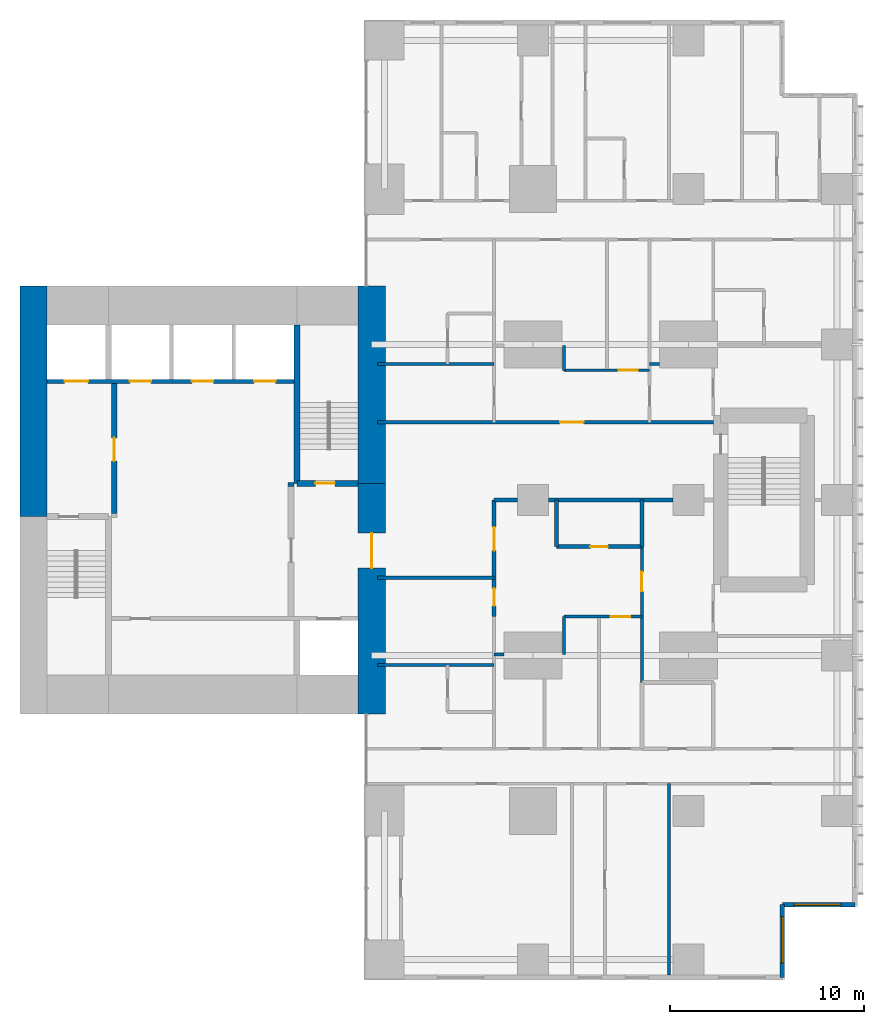
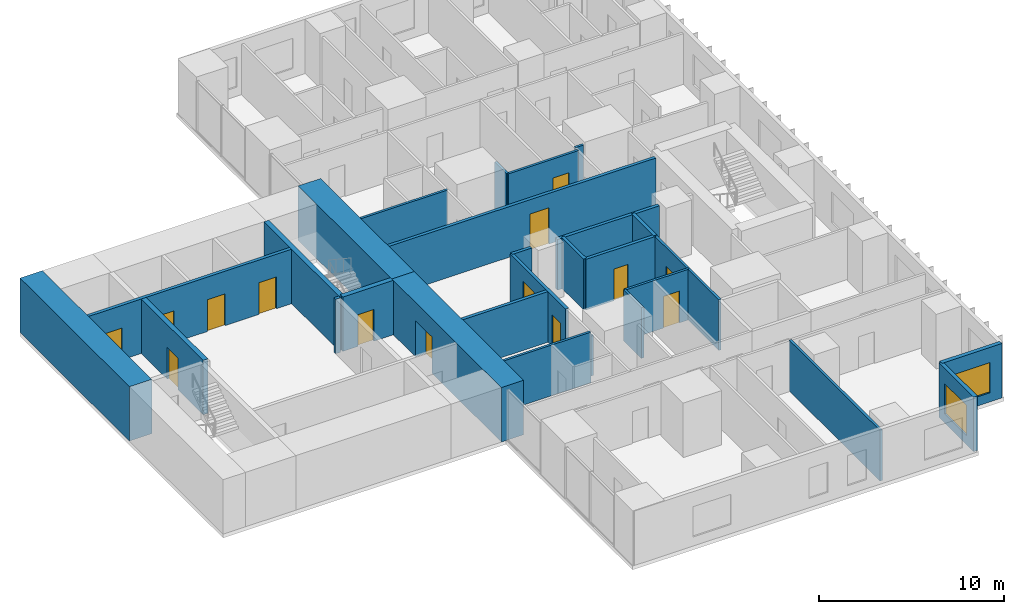
# One storey, part 8 of 12: 28 walls, 14 doors, 2 windows, 16 openings.
"""IFC4 building model written with IfcOpenShell, lengths in metres."""

from ifc_helpers import new_model, si_unit, direction, frame, frame_2d, origin, place, context, subcontext, project, spatial, rectangle, extrude, material, layer, layer_set, type_object, element, fill, save


model = new_model("IFC4")

# Units and contexts
model_context = context("Model", 3, precision=1e-05, world=origin(), true_north=direction((0.0, 1.0)))
body_context = subcontext(model_context, "Body", "Model", "MODEL_VIEW")
ifc_project = project(units=[si_unit("LENGTHUNIT", "METRE"), si_unit("AREAUNIT", "SQUARE_METRE"), si_unit("VOLUMEUNIT", "CUBIC_METRE"), si_unit("PLANEANGLEUNIT", "RADIAN"), si_unit("MASSUNIT", "GRAM", prefix="KILO")], contexts=[model_context])

# Site, building, storey
site_placement = place(None, origin())
site = spatial("IfcSite", under=ifc_project, at=site_placement, CompositionType="ELEMENT")
building_placement = place(site_placement, origin())
building = spatial("IfcBuilding", under=site, at=building_placement, Name="Cleftline Residences", CompositionType="ELEMENT")
storey_placement = place(building_placement, frame((0.0, 0.0, 255.60009765625)))
storey = spatial("IfcBuildingStorey", under=building, at=storey_placement, Name="L67", CompositionType="ELEMENT", Elevation=255.60009765625)

# Wall
ifc_material_1 = material(Name="Concrete B70", Category="concrete")
ifc_layer_1 = layer(ifc_material_1, 1.39990234375)
ifc_layer_set_1 = layer_set([ifc_layer_1], Name="CORE WALL 1400")
wall_type_1 = type_object("IfcWallType", Name="CORE WALL 1400", PredefinedType="SHEAR", material=ifc_layer_set_1)
wall_1_placement = place(storey_placement, frame((24.300048828125, 23.14990234375, 0.0), z_axis=(0.0, 0.0, 1.0), x_axis=(0.0, 1.0, 0.0)))
element("IfcWall", 1, at=wall_1_placement, inside=storey, type_object=wall_type_1, Name="Core wall W", PredefinedType="SHEAR", context=body_context, shape_type="SweptSolid", body=[
    extrude(rectangle(XDim=11.85009765625, YDim=1.39990234375, at=frame_2d((5.925048828125, 0.0))), origin(), (0.0, 0.0, 1.0), 3.599853515625),
])

# Wall, opening, door
wall_2_placement = place(storey_placement, frame((41.699951171875, 13.0, 0.0), z_axis=(0.0, 0.0, 1.0), x_axis=(0.0, 1.0, 0.0)))
wall_2 = element("IfcWall", 2, at=wall_2_placement, inside=storey, type_object=wall_type_1, Name="Core wall E", PredefinedType="SHEAR", context=body_context, shape_type="SweptSolid", body=[
    extrude(rectangle(XDim=11.85009765625, YDim=1.39990234375, at=frame_2d((5.925048828125, 0.0))), origin(), (0.0, 0.0, 1.0), 3.599853515625),
])
opening_1_placement = place(wall_2_placement, frame((7.5, 0.0, 0.0)))
opening_1 = element("IfcOpeningElement", 3, at=opening_1_placement, cuts=wall_2, Name="Opening D7", PredefinedType="OPENING", context=body_context, shape_type="SweptSolid", body=[
    extrude(rectangle(XDim=1.800048828125, YDim=2.39990234375, at=frame_2d((0.89990234375, 1.199951171875))), frame((0.0, 0.7099609375, 0.0), z_axis=(0.0, -1.0, 0.0), x_axis=(1.0, 0.0, 0.0)), (0.0, 0.0, 1.0), 1.419921875),
])
ifc_material_2 = material(Name="Steel", Category="steel")
door_type_1 = type_object("IfcDoorType", Name="WING DOOR 1800X2400", OperationType="DOUBLE_DOOR_DOUBLE_SWING", PredefinedType="DOOR", material=ifc_material_2)
door_1_placement = place(opening_1_placement, origin())
door_1 = element("IfcDoor", 4, at=door_1_placement, inside=storey, type_object=door_type_1, Name="East wing door", OperationType="DOUBLE_DOOR_DOUBLE_SWING", OverallHeight=2.39990234375, OverallWidth=1.800048828125, PredefinedType="DOOR", context=body_context, shape_type="SweptSolid", body=[
    extrude(rectangle(XDim=1.800048828125, YDim=2.39990234375, at=frame_2d((0.89990234375, 1.199951171875))), frame((0.0, 0.02490234375, 0.0), z_axis=(0.0, -1.0, 0.0), x_axis=(1.0, 0.0, 0.0)), (0.0, 0.0, 1.0), 0.050048828125),
])
fill(opening_1, door_1)

# Walls
wall_3_placement = place(storey_placement, frame((41.699951171875, 24.85009765625, 0.0), z_axis=(0.0, 0.0, 1.0), x_axis=(0.0, 1.0, 0.0)))
element("IfcWall", 5, at=wall_3_placement, inside=storey, type_object=wall_type_1, Name="Core wall E1", PredefinedType="SHEAR", context=body_context, shape_type="SweptSolid", body=[
    extrude(rectangle(XDim=10.14990234375, YDim=1.39990234375, at=frame_2d((5.074951171875, 0.0))), origin(), (0.0, 0.0, 1.0), 3.599853515625),
])
ifc_material_3 = material(Name="Concrete B70", Category="concrete")
ifc_layer_2 = layer(ifc_material_3, 0.300048828125)
ifc_layer_set_2 = layer_set([ifc_layer_2], Name="CORE WALL 300")
wall_type_2 = type_object("IfcWallType", Name="CORE WALL 300", PredefinedType="SHEAR", material=ifc_layer_set_2)
wall_4_placement = place(storey_placement, frame((37.85009765625, 24.85009765625, 0.0), z_axis=(0.0, 0.0, 1.0), x_axis=(0.0, 1.0, 0.0)))
element("IfcWall", 6, at=wall_4_placement, inside=storey, type_object=wall_type_2, Name="Core wall SB-W", PredefinedType="SHEAR", context=body_context, shape_type="SweptSolid", body=[
    extrude(rectangle(XDim=8.14990234375, YDim=0.300048828125, at=frame_2d((4.074951171875, 0.0))), origin(), (0.0, 0.0, 1.0), 3.599853515625),
])

# Wall, opening, door
wall_5_placement = place(storey_placement, frame((37.85009765625, 24.85009765625, 0.0), z_axis=(0.0, 0.0, 1.0), x_axis=(1.0, 0.0, 0.0)))
wall_5 = element("IfcWall", 7, at=wall_5_placement, inside=storey, type_object=wall_type_2, Name="Core wall SB-S", PredefinedType="SHEAR", context=body_context, shape_type="SweptSolid", body=[
    extrude(rectangle(XDim=3.14990234375, YDim=0.300048828125, at=frame_2d((1.574951171875, 0.0))), origin(), (0.0, 0.0, 1.0), 3.599853515625),
])
opening_2_placement = place(wall_5_placement, frame((0.949951171875, 0.0, 0.0)))
opening_2 = element("IfcOpeningElement", 8, at=opening_2_placement, cuts=wall_5, Name="Opening D5", PredefinedType="OPENING", context=body_context, shape_type="SweptSolid", body=[
    extrude(rectangle(XDim=1.0, YDim=2.10009765625, at=frame_2d((0.5, 1.050048828125))), frame((0.0, 0.159912109375, 0.0), z_axis=(0.0, -1.0, 0.0), x_axis=(1.0, 0.0, 0.0)), (0.0, 0.0, 1.0), 0.320068359375),
])
ifc_material_4 = material(Name="Steel", Category="steel")
door_type_2 = type_object("IfcDoorType", Name="STAIR DOOR 1000X2100", OperationType="SINGLE_SWING_LEFT", PredefinedType="DOOR", material=ifc_material_4)
door_2_placement = place(opening_2_placement, origin())
door_2 = element("IfcDoor", 9, at=door_2_placement, inside=storey, type_object=door_type_2, Name="Stair B door", OperationType="SINGLE_SWING_RIGHT", OverallHeight=2.10009765625, OverallWidth=1.0, PredefinedType="DOOR", context=body_context, shape_type="SweptSolid", body=[
    extrude(rectangle(XDim=1.0, YDim=2.10009765625, at=frame_2d((0.5, 1.050048828125))), frame((0.0, 0.02490234375, 0.0), z_axis=(0.0, -1.0, 0.0), x_axis=(1.0, 0.0, 0.0)), (0.0, 0.0, 1.0), 0.050048828125),
])
fill(opening_2, door_2)

# Wall, opening, window
ifc_material_5 = material(Name="Rendered reinforced concrete blockwork", Category="masonry")
ifc_layer_3 = layer(ifc_material_5, 0.25)
ifc_layer_set_3 = layer_set([ifc_layer_3], Name="EXTERNAL WALL 250")
wall_type_3 = type_object("IfcWallType", Name="EXTERNAL WALL 250", PredefinedType="SOLIDWALL", material=ifc_layer_set_3)
wall_6_placement = place(storey_placement, frame((62.824951171875, -0.574951171875, 0.0), z_axis=(0.0, 0.0, 1.0), x_axis=(0.0, 1.0, 0.0)))
wall_6 = element("IfcWall", 10, at=wall_6_placement, inside=storey, type_object=wall_type_3, Name="External wall", PredefinedType="SOLIDWALL", context=body_context, shape_type="SweptSolid", body=[
    extrude(rectangle(XDim=3.75, YDim=0.25, at=frame_2d((1.875, 0.0))), origin(), (0.0, 0.0, 1.0), 3.599853515625),
])
opening_3_placement = place(wall_6_placement, frame((0.737548828125, 0.0, 0.60009765625)))
opening_3 = element("IfcOpeningElement", 11, at=opening_3_placement, cuts=wall_6, Name="Opening W6", PredefinedType="OPENING", context=body_context, shape_type="SweptSolid", body=[
    extrude(rectangle(XDim=2.39990234375, YDim=2.0, at=frame_2d((1.199951171875, 1.0))), frame((0.0, 0.135009765625, 0.0), z_axis=(0.0, -1.0, 0.0), x_axis=(1.0, 0.0, 0.0)), (0.0, 0.0, 1.0), 0.27001953125),
])
ifc_material_6 = material(Name="Aluminium frame, clear double glazing", Category="aluminium")
window_type = type_object("IfcWindowType", Name="WINDOW 2400X2000", PartitioningType="DOUBLE_PANEL_VERTICAL", PredefinedType="WINDOW", material=ifc_material_6)
window_1_placement = place(opening_3_placement, origin())
window_1 = element("IfcWindow", 12, at=window_1_placement, inside=storey, type_object=window_type, Name="Window", OverallHeight=2.0, OverallWidth=2.39990234375, PartitioningType="SINGLE_PANEL", PredefinedType="WINDOW", context=body_context, shape_type="SweptSolid", body=[
    extrude(rectangle(XDim=2.39990234375, YDim=2.0, at=frame_2d((1.199951171875, 1.0))), frame((0.0, 0.030029296875, 0.0), z_axis=(0.0, -1.0, 0.0), x_axis=(1.0, 0.0, 0.0)), (0.0, 0.0, 1.0), 0.06005859375),
])
fill(opening_3, window_1)

wall_7_placement = place(storey_placement, frame((62.824951171875, 3.175048828125, 0.0), z_axis=(0.0, 0.0, 1.0), x_axis=(1.0, 0.0, 0.0)))
wall_7 = element("IfcWall", 13, at=wall_7_placement, inside=storey, type_object=wall_type_3, Name="External wall", PredefinedType="SOLIDWALL", context=body_context, shape_type="SweptSolid", body=[
    extrude(rectangle(XDim=3.75, YDim=0.25, at=frame_2d((1.875, 0.0))), origin(), (0.0, 0.0, 1.0), 3.599853515625),
])
opening_4_placement = place(wall_7_placement, frame((0.612548828125, 0.0, 0.60009765625)))
opening_4 = element("IfcOpeningElement", 14, at=opening_4_placement, cuts=wall_7, Name="Opening W6", PredefinedType="OPENING", context=body_context, shape_type="SweptSolid", body=[
    extrude(rectangle(XDim=2.39990234375, YDim=2.0, at=frame_2d((1.199951171875, 1.0))), frame((0.0, 0.135009765625, 0.0), z_axis=(0.0, -1.0, 0.0), x_axis=(1.0, 0.0, 0.0)), (0.0, 0.0, 1.0), 0.27001953125),
])
window_2_placement = place(opening_4_placement, origin())
window_2 = element("IfcWindow", 15, at=window_2_placement, inside=storey, type_object=window_type, Name="Window", OverallHeight=2.0, OverallWidth=2.39990234375, PartitioningType="SINGLE_PANEL", PredefinedType="WINDOW", context=body_context, shape_type="SweptSolid", body=[
    extrude(rectangle(XDim=2.39990234375, YDim=2.0, at=frame_2d((1.199951171875, 1.0))), frame((0.0, 0.030029296875, 0.0), z_axis=(0.0, -1.0, 0.0), x_axis=(1.0, 0.0, 0.0)), (0.0, 0.0, 1.0), 0.06005859375),
])
fill(opening_4, window_2)

# Wall
ifc_material_7 = material(Name="Concrete blockwork, fire rated", Category="masonry")
ifc_layer_4 = layer(ifc_material_7, 0.199951171875)
ifc_layer_set_4 = layer_set([ifc_layer_4], Name="FIRE WALL 200")
wall_type_4 = type_object("IfcWallType", Name="FIRE WALL 200", PredefinedType="PARTITIONING", material=ifc_layer_set_4)
wall_8_placement = place(storey_placement, frame((42.0, 20.0, 0.0), z_axis=(0.0, 0.0, 1.0), x_axis=(1.0, 0.0, 0.0)))
element("IfcWall", 16, at=wall_8_placement, inside=storey, type_object=wall_type_4, Name="Fire separating wall", PredefinedType="PARTITIONING", context=body_context, shape_type="SweptSolid", body=[
    extrude(rectangle(XDim=6.0, YDim=0.199951171875, at=frame_2d((3.0, 0.0))), origin(), (0.0, 0.0, 1.0), 3.349853515625),
])

# Wall, opening, door
wall_9_placement = place(storey_placement, frame((51.199951171875, 21.60009765625, 0.0), z_axis=(0.0, 0.0, 1.0), x_axis=(1.0, 0.0, 0.0)))
wall_9 = element("IfcWall", 17, at=wall_9_placement, inside=storey, type_object=wall_type_4, Name="Fire separating wall", PredefinedType="PARTITIONING", context=body_context, shape_type="SweptSolid", body=[
    extrude(rectangle(XDim=4.400146484375, YDim=0.199951171875, at=frame_2d((2.2001953125, 0.0))), origin(), (0.0, 0.0, 1.0), 3.349853515625),
])
opening_5_placement = place(wall_9_placement, frame((1.75, 0.0, 0.0)))
opening_5 = element("IfcOpeningElement", 18, at=opening_5_placement, cuts=wall_9, Name="Opening D1F30", PredefinedType="OPENING", context=body_context, shape_type="SweptSolid", body=[
    extrude(rectangle(XDim=0.89990234375, YDim=2.10009765625, at=frame_2d((0.449951171875, 1.050048828125))), frame((0.0, 0.10986328125, 0.0), z_axis=(0.0, -1.0, 0.0), x_axis=(1.0, 0.0, 0.0)), (0.0, 0.0, 1.0), 0.219970703125),
])
ifc_material_8 = material(Name="Timber veneer on solid core", Category="wood")
door_type_3 = type_object("IfcDoorType", Name="DOOR 900X2100 EI 30", OperationType="SINGLE_SWING_LEFT", PredefinedType="DOOR", material=ifc_material_8)
door_3_placement = place(opening_5_placement, origin())
door_3 = element("IfcDoor", 19, at=door_3_placement, inside=storey, type_object=door_type_3, Name="Door to cloakroom wc", OperationType="SINGLE_SWING_LEFT", OverallHeight=2.10009765625, OverallWidth=0.89990234375, PredefinedType="DOOR", context=body_context, shape_type="SweptSolid", body=[
    extrude(rectangle(XDim=0.89990234375, YDim=2.10009765625, at=frame_2d((0.449951171875, 1.050048828125))), frame((0.0, 0.02490234375, 0.0), z_axis=(0.0, -1.0, 0.0), x_axis=(1.0, 0.0, 0.0)), (0.0, 0.0, 1.0), 0.050048828125),
])
fill(opening_5, door_3)

# Walls
wall_10_placement = place(storey_placement, frame((48.0, 24.0, 0.0), z_axis=(0.0, 0.0, 1.0), x_axis=(1.0, 0.0, 0.0)))
element("IfcWall", 20, at=wall_10_placement, inside=storey, type_object=wall_type_4, Name="Fire separating wall", PredefinedType="PARTITIONING", context=body_context, shape_type="SweptSolid", body=[
    extrude(rectangle(XDim=1.199951171875, YDim=0.199951171875, at=frame_2d((0.60009765625, 0.0))), origin(), (0.0, 0.0, 1.0), 3.349853515625),
])
wall_11_placement = place(storey_placement, frame((50.800048828125, 24.0, 0.0), z_axis=(0.0, 0.0, 1.0), x_axis=(1.0, 0.0, 0.0)))
element("IfcWall", 21, at=wall_11_placement, inside=storey, type_object=wall_type_4, Name="Fire separating wall", PredefinedType="PARTITIONING", context=body_context, shape_type="SweptSolid", body=[
    extrude(rectangle(XDim=6.39990234375, YDim=0.199951171875, at=frame_2d((3.199951171875, 0.0))), origin(), (0.0, 0.0, 1.0), 3.349853515625),
])

# Wall, opening, door
wall_12_placement = place(storey_placement, frame((42.0, 28.0, 0.0), z_axis=(0.0, 0.0, 1.0), x_axis=(1.0, 0.0, 0.0)))
wall_12 = element("IfcWall", 22, at=wall_12_placement, inside=storey, type_object=wall_type_4, Name="Fire separating wall", PredefinedType="PARTITIONING", context=body_context, shape_type="SweptSolid", body=[
    extrude(rectangle(XDim=17.27490234375, YDim=0.199951171875, at=frame_2d((8.637451171875, 0.0))), origin(), (0.0, 0.0, 1.0), 3.349853515625),
])
opening_6_placement = place(wall_12_placement, frame((9.39990234375, 0.0, 0.0)))
opening_6 = element("IfcOpeningElement", 23, at=opening_6_placement, cuts=wall_12, Name="Opening D4", PredefinedType="OPENING", context=body_context, shape_type="SweptSolid", body=[
    extrude(rectangle(XDim=1.199951171875, YDim=2.39990234375, at=frame_2d((0.60009765625, 1.199951171875))), frame((0.0, 0.10986328125, 0.0), z_axis=(0.0, -1.0, 0.0), x_axis=(1.0, 0.0, 0.0)), (0.0, 0.0, 1.0), 0.219970703125),
])
ifc_material_9 = material(Name="Timber veneer on solid core", Category="wood")
door_type_4 = type_object("IfcDoorType", Name="APARTMENT ENTRANCE DOOR 1200X2400", OperationType="SINGLE_SWING_RIGHT", PredefinedType="DOOR", material=ifc_material_9)
door_4_placement = place(opening_6_placement, origin())
door_4 = element("IfcDoor", 24, at=door_4_placement, inside=storey, type_object=door_type_4, Name="Door to residence entrance (gallery)", OperationType="SINGLE_SWING_LEFT", OverallHeight=2.39990234375, OverallWidth=1.199951171875, PredefinedType="DOOR", context=body_context, shape_type="SweptSolid", body=[
    extrude(rectangle(XDim=1.199951171875, YDim=2.39990234375, at=frame_2d((0.60009765625, 1.199951171875))), frame((0.0, 0.02490234375, 0.0), z_axis=(0.0, -1.0, 0.0), x_axis=(1.0, 0.0, 0.0)), (0.0, 0.0, 1.0), 0.050048828125),
])
fill(opening_6, door_4)

# Wall, openings, doors
wall_13_placement = place(storey_placement, frame((48.0, 18.0, 0.0), z_axis=(0.0, 0.0, 1.0), x_axis=(0.0, 1.0, 0.0)))
wall_13 = element("IfcWall", 25, at=wall_13_placement, inside=storey, type_object=wall_type_4, Name="Fire separating wall", PredefinedType="PARTITIONING", context=body_context, shape_type="SweptSolid", body=[
    extrude(rectangle(XDim=6.0, YDim=0.199951171875, at=frame_2d((3.0, 0.0))), origin(), (0.0, 0.0, 1.0), 3.349853515625),
])
opening_7_placement = place(wall_13_placement, frame((3.39990234375, 0.0, 0.0)))
opening_7 = element("IfcOpeningElement", 26, at=opening_7_placement, cuts=wall_13, Name="Opening D4", PredefinedType="OPENING", context=body_context, shape_type="SweptSolid", body=[
    extrude(rectangle(XDim=1.199951171875, YDim=2.39990234375, at=frame_2d((0.60009765625, 1.199951171875))), frame((0.0, 0.10986328125, 0.0), z_axis=(0.0, -1.0, 0.0), x_axis=(1.0, 0.0, 0.0)), (0.0, 0.0, 1.0), 0.219970703125),
])
opening_8_placement = place(wall_13_placement, frame((0.550048828125, 0.0, 0.0)))
opening_8 = element("IfcOpeningElement", 27, at=opening_8_placement, cuts=wall_13, Name="Opening D1F30", PredefinedType="OPENING", context=body_context, shape_type="SweptSolid", body=[
    extrude(rectangle(XDim=0.89990234375, YDim=2.10009765625, at=frame_2d((0.449951171875, 1.050048828125))), frame((0.0, 0.10986328125, 0.0), z_axis=(0.0, -1.0, 0.0), x_axis=(1.0, 0.0, 0.0)), (0.0, 0.0, 1.0), 0.219970703125),
])
door_5_placement = place(opening_7_placement, origin())
door_5 = element("IfcDoor", 28, at=door_5_placement, inside=storey, type_object=door_type_4, Name="Door to residence entrance foyer", OperationType="SINGLE_SWING_LEFT", OverallHeight=2.39990234375, OverallWidth=1.199951171875, PredefinedType="DOOR", context=body_context, shape_type="SweptSolid", body=[
    extrude(rectangle(XDim=1.199951171875, YDim=2.39990234375, at=frame_2d((0.60009765625, 1.199951171875))), frame((0.0, 0.02490234375, 0.0), z_axis=(0.0, -1.0, 0.0), x_axis=(1.0, 0.0, 0.0)), (0.0, 0.0, 1.0), 0.050048828125),
])
fill(opening_7, door_5)
door_6_placement = place(opening_8_placement, origin())
door_6 = element("IfcDoor", 29, at=door_6_placement, inside=storey, type_object=door_type_3, Name="Door to drying loggia", OperationType="SINGLE_SWING_RIGHT", OverallHeight=2.10009765625, OverallWidth=0.89990234375, PredefinedType="DOOR", context=body_context, shape_type="SweptSolid", body=[
    extrude(rectangle(XDim=0.89990234375, YDim=2.10009765625, at=frame_2d((0.449951171875, 1.050048828125))), frame((0.0, 0.02490234375, 0.0), z_axis=(0.0, -1.0, 0.0), x_axis=(1.0, 0.0, 0.0)), (0.0, 0.0, 1.0), 0.050048828125),
])
fill(opening_8, door_6)

# Walls
for number, where, z_axis, x_axis, name in (
    (30, (51.199951171875, 21.60009765625, 0.0), (0.0, 0.0, 1.0), (0.0, 1.0, 0.0), "Fire separating wall"),
    (31, (55.60009765625, 21.60009765625, 0.0), (0.0, 0.0, 1.0), (0.0, 1.0, 0.0), "Fire separating wall"),
):
    element("IfcWall", number, at=place(storey_placement, frame(where, z_axis=z_axis, x_axis=x_axis)), inside=storey, type_object=wall_type_4, Name=name, PredefinedType="PARTITIONING", context=body_context, shape_type="SweptSolid", body=[
        extrude(rectangle(XDim=2.39990234375, YDim=0.199951171875, at=frame_2d((1.199951171875, 0.0))), origin(), (0.0, 0.0, 1.0), 3.349853515625),
    ])
wall_14_placement = place(storey_placement, frame((37.39990234375, 24.800048828125, 0.0), z_axis=(0.0, 0.0, 1.0), x_axis=(1.0, 0.0, 0.0)))
element("IfcWall", 32, at=wall_14_placement, inside=storey, type_object=wall_type_4, Name="Fire separating wall", PredefinedType="PARTITIONING", context=body_context, shape_type="SweptSolid", body=[
    extrude(rectangle(XDim=0.300048828125, YDim=0.199951171875, at=frame_2d((0.14990234375, 0.0))), origin(), (0.0, 0.0, 1.0), 3.599853515625),
])
ifc_material_10 = material(Name="Gypsum board on steel studs", Category="steel")
ifc_layer_5 = layer(ifc_material_10, 0.14990234375)
ifc_layer_set_5 = layer_set([ifc_layer_5], Name="PARTITION 150")
wall_type_5 = type_object("IfcWallType", Name="PARTITION 150", PredefinedType="PARTITIONING", material=ifc_layer_set_5)
wall_15_placement = place(storey_placement, frame((42.0, 15.5, 0.0), z_axis=(0.0, 0.0, 1.0), x_axis=(1.0, 0.0, 0.0)))
element("IfcWall", 33, at=wall_15_placement, inside=storey, type_object=wall_type_5, Name="Partition", PredefinedType="PARTITIONING", context=body_context, shape_type="SweptSolid", body=[
    extrude(rectangle(XDim=6.0, YDim=0.14990234375, at=frame_2d((3.0, 0.0))), origin(), (0.0, 0.0, 1.0), 3.349853515625),
])
wall_16_placement = place(storey_placement, frame((48.0, 16.050048828125, 0.0), z_axis=(0.0, 0.0, 1.0), x_axis=(1.0, 0.0, 0.0)))
element("IfcWall", 34, at=wall_16_placement, inside=storey, type_object=wall_type_5, Name="Partition", PredefinedType="PARTITIONING", context=body_context, shape_type="SweptSolid", body=[
    extrude(rectangle(XDim=0.5, YDim=0.14990234375, at=frame_2d((0.25, 0.0))), origin(), (0.0, 0.0, 1.0), 2.6337890625),
])

# Wall, opening, door
wall_17_placement = place(storey_placement, frame((51.60009765625, 18.0, 0.0), z_axis=(0.0, 0.0, 1.0), x_axis=(1.0, 0.0, 0.0)))
wall_17 = element("IfcWall", 35, at=wall_17_placement, inside=storey, type_object=wall_type_5, Name="Partition", PredefinedType="PARTITIONING", context=body_context, shape_type="SweptSolid", body=[
    extrude(rectangle(XDim=4.0, YDim=0.14990234375, at=frame_2d((2.0, 0.0))), origin(), (0.0, 0.0, 1.0), 3.349853515625),
])
opening_9_placement = place(wall_17_placement, frame((2.39990234375, 0.0, 0.0)))
opening_9 = element("IfcOpeningElement", 36, at=opening_9_placement, cuts=wall_17, Name="Opening D2", PredefinedType="OPENING", context=body_context, shape_type="SweptSolid", body=[
    extrude(rectangle(XDim=1.0, YDim=2.10009765625, at=frame_2d((0.5, 1.050048828125))), frame((0.0, 0.0849609375, 0.0), z_axis=(0.0, -1.0, 0.0), x_axis=(1.0, 0.0, 0.0)), (0.0, 0.0, 1.0), 0.169921875),
])
ifc_material_11 = material(Name="Timber veneer on solid core", Category="wood")
door_type_5 = type_object("IfcDoorType", Name="DOOR 1000X2100", OperationType="SINGLE_SWING_LEFT", PredefinedType="DOOR", material=ifc_material_11)
door_7_placement = place(opening_9_placement, origin())
door_7 = element("IfcDoor", 37, at=door_7_placement, inside=storey, type_object=door_type_5, Name="Door to residence passage", OperationType="SINGLE_SWING_LEFT", OverallHeight=2.10009765625, OverallWidth=1.0, PredefinedType="DOOR", context=body_context, shape_type="SweptSolid", body=[
    extrude(rectangle(XDim=1.0, YDim=2.10009765625, at=frame_2d((0.5, 1.050048828125))), frame((0.0, 0.02490234375, 0.0), z_axis=(0.0, -1.0, 0.0), x_axis=(1.0, 0.0, 0.0)), (0.0, 0.0, 1.0), 0.050048828125),
])
fill(opening_9, door_7)

wall_18_placement = place(storey_placement, frame((51.60009765625, 30.675048828125, 0.0), z_axis=(0.0, 0.0, 1.0), x_axis=(1.0, 0.0, 0.0)))
wall_18 = element("IfcWall", 38, at=wall_18_placement, inside=storey, type_object=wall_type_5, Name="Partition", PredefinedType="PARTITIONING", context=body_context, shape_type="SweptSolid", body=[
    extrude(rectangle(XDim=4.39990234375, YDim=0.14990234375, at=frame_2d((2.199951171875, 0.0))), origin(), (0.0, 0.0, 1.0), 3.349853515625),
])
opening_10_placement = place(wall_18_placement, frame((2.800048828125, 0.0, 0.0)))
opening_10 = element("IfcOpeningElement", 39, at=opening_10_placement, cuts=wall_18, Name="Opening D2", PredefinedType="OPENING", context=body_context, shape_type="SweptSolid", body=[
    extrude(rectangle(XDim=1.0, YDim=2.10009765625, at=frame_2d((0.5, 1.050048828125))), frame((0.0, 0.0849609375, 0.0), z_axis=(0.0, -1.0, 0.0), x_axis=(1.0, 0.0, 0.0)), (0.0, 0.0, 1.0), 0.169921875),
])
door_8_placement = place(opening_10_placement, origin())
door_8 = element("IfcDoor", 40, at=door_8_placement, inside=storey, type_object=door_type_5, Name="Door to residence passage", OperationType="SINGLE_SWING_LEFT", OverallHeight=2.10009765625, OverallWidth=1.0, PredefinedType="DOOR", context=body_context, shape_type="SweptSolid", body=[
    extrude(rectangle(XDim=1.0, YDim=2.10009765625, at=frame_2d((0.5, 1.050048828125))), frame((0.0, 0.02490234375, 0.0), z_axis=(0.0, -1.0, 0.0), x_axis=(1.0, 0.0, 0.0)), (0.0, 0.0, 1.0), 0.050048828125),
])
fill(opening_10, door_8)

# Walls
wall_19_placement = place(storey_placement, frame((42.0, 31.0, 0.0), z_axis=(0.0, 0.0, 1.0), x_axis=(1.0, 0.0, 0.0)))
element("IfcWall", 41, at=wall_19_placement, inside=storey, type_object=wall_type_5, Name="Partition", PredefinedType="PARTITIONING", context=body_context, shape_type="SweptSolid", body=[
    extrude(rectangle(XDim=6.0, YDim=0.14990234375, at=frame_2d((3.0, 0.0))), origin(), (0.0, 0.0, 1.0), 3.349853515625),
])
wall_20_placement = place(storey_placement, frame((56.0, 31.0, 0.0), z_axis=(0.0, 0.0, 1.0), x_axis=(1.0, 0.0, 0.0)))
element("IfcWall", 42, at=wall_20_placement, inside=storey, type_object=wall_type_5, Name="Partition", PredefinedType="PARTITIONING", context=body_context, shape_type="SweptSolid", body=[
    extrude(rectangle(XDim=0.5, YDim=0.14990234375, at=frame_2d((0.25, 0.0))), origin(), (0.0, 0.0, 1.0), 3.349853515625),
])
wall_21_placement = place(storey_placement, frame((51.60009765625, 16.050048828125, 0.0), z_axis=(0.0, 0.0, 1.0), x_axis=(0.0, 1.0, 0.0)))
element("IfcWall", 43, at=wall_21_placement, inside=storey, type_object=wall_type_5, Name="Partition", PredefinedType="PARTITIONING", context=body_context, shape_type="SweptSolid", body=[
    extrude(rectangle(XDim=1.949951171875, YDim=0.14990234375, at=frame_2d((0.97509765625, 0.0))), origin(), (0.0, 0.0, 1.0), 3.349853515625),
])
wall_22_placement = place(storey_placement, frame((51.60009765625, 30.675048828125, 0.0), z_axis=(0.0, 0.0, 1.0), x_axis=(0.0, 1.0, 0.0)))
element("IfcWall", 44, at=wall_22_placement, inside=storey, type_object=wall_type_5, Name="Partition", PredefinedType="PARTITIONING", context=body_context, shape_type="SweptSolid", body=[
    extrude(rectangle(XDim=1.27490234375, YDim=0.14990234375, at=frame_2d((0.637451171875, 0.0))), origin(), (0.0, 0.0, 1.0), 3.349853515625),
])

# Wall, opening, door
wall_23_placement = place(storey_placement, frame((55.60009765625, 14.60009765625, 0.0), z_axis=(0.0, 0.0, 1.0), x_axis=(0.0, 1.0, 0.0)))
wall_23 = element("IfcWall", 45, at=wall_23_placement, inside=storey, type_object=wall_type_5, Name="Partition", PredefinedType="PARTITIONING", context=body_context, shape_type="SweptSolid", body=[
    extrude(rectangle(XDim=7.0, YDim=0.14990234375, at=frame_2d((3.5, 0.0))), origin(), (0.0, 0.0, 1.0), 3.349853515625),
])
opening_11_placement = place(wall_23_placement, frame((4.699951171875, 0.0, 0.0)))
opening_11 = element("IfcOpeningElement", 46, at=opening_11_placement, cuts=wall_23, Name="Opening D2F30", PredefinedType="OPENING", context=body_context, shape_type="SweptSolid", body=[
    extrude(rectangle(XDim=1.0, YDim=2.10009765625, at=frame_2d((0.5, 1.050048828125))), frame((0.0, 0.0849609375, 0.0), z_axis=(0.0, -1.0, 0.0), x_axis=(1.0, 0.0, 0.0)), (0.0, 0.0, 1.0), 0.169921875),
])
ifc_material_12 = material(Name="Timber veneer on solid core", Category="wood")
door_type_6 = type_object("IfcDoorType", Name="DOOR 1000X2100 EI 30", OperationType="SINGLE_SWING_LEFT", PredefinedType="DOOR", material=ifc_material_12)
door_9_placement = place(opening_11_placement, origin())
door_9 = element("IfcDoor", 47, at=door_9_placement, inside=storey, type_object=door_type_6, Name="Door to residence lobby", OperationType="SINGLE_SWING_LEFT", OverallHeight=2.10009765625, OverallWidth=1.0, PredefinedType="DOOR", context=body_context, shape_type="SweptSolid", body=[
    extrude(rectangle(XDim=1.0, YDim=2.10009765625, at=frame_2d((0.5, 1.050048828125))), frame((0.0, 0.02490234375, 0.0), z_axis=(0.0, -1.0, 0.0), x_axis=(1.0, 0.0, 0.0)), (0.0, 0.0, 1.0), 0.050048828125),
])
fill(opening_11, door_9)

# Wall
wall_24_placement = place(storey_placement, frame((57.0, -0.449951171875, 0.0), z_axis=(0.0, 0.0, 1.0), x_axis=(0.0, 1.0, 0.0)))
element("IfcWall", 48, at=wall_24_placement, inside=storey, type_object=wall_type_5, Name="Partition", PredefinedType="PARTITIONING", context=body_context, shape_type="SweptSolid", body=[
    extrude(rectangle(XDim=9.849853515625, YDim=0.14990234375, at=frame_2d((4.9248046875, 0.0))), origin(), (0.0, 0.0, 1.0), 3.349853515625),
])

# Wall, openings, doors
ifc_material_13 = material(Name="Concrete blockwork, fire rated", Category="masonry")
ifc_layer_6 = layer(ifc_material_13, 0.199951171875)
ifc_layer_set_6 = layer_set([ifc_layer_6], Name="SHAFT WALL 200")
wall_type_6 = type_object("IfcWallType", Name="SHAFT WALL 200", PredefinedType="PARTITIONING", material=ifc_layer_set_6)
wall_25_placement = place(storey_placement, frame((25.0, 30.10009765625, 0.0), z_axis=(0.0, 0.0, 1.0), x_axis=(1.0, 0.0, 0.0)))
wall_25 = element("IfcWall", 49, at=wall_25_placement, inside=storey, type_object=wall_type_6, Name="Lift shaft wall", PredefinedType="PARTITIONING", context=body_context, shape_type="SweptSolid", body=[
    extrude(rectangle(XDim=12.699951171875, YDim=0.199951171875, at=frame_2d((6.35009765625, 0.0))), origin(), (0.0, 0.0, 1.0), 3.599853515625),
])
opening_12_placement = place(wall_25_placement, frame((4.25, 0.0, 0.0)))
opening_12 = element("IfcOpeningElement", 50, at=opening_12_placement, cuts=wall_25, Name="Opening LD1", PredefinedType="OPENING", context=body_context, shape_type="SweptSolid", body=[
    extrude(rectangle(XDim=1.10009765625, YDim=2.10009765625, at=frame_2d((0.550048828125, 1.050048828125))), frame((0.0, 0.10986328125, 0.0), z_axis=(0.0, -1.0, 0.0), x_axis=(1.0, 0.0, 0.0)), (0.0, 0.0, 1.0), 0.219970703125),
])
opening_13_placement = place(wall_25_placement, frame((7.449951171875, 0.0, 0.0)))
opening_13 = element("IfcOpeningElement", 51, at=opening_13_placement, cuts=wall_25, Name="Opening LD1", PredefinedType="OPENING", context=body_context, shape_type="SweptSolid", body=[
    extrude(rectangle(XDim=1.10009765625, YDim=2.10009765625, at=frame_2d((0.550048828125, 1.050048828125))), frame((0.0, 0.10986328125, 0.0), z_axis=(0.0, -1.0, 0.0), x_axis=(1.0, 0.0, 0.0)), (0.0, 0.0, 1.0), 0.219970703125),
])
opening_14_placement = place(wall_25_placement, frame((10.64990234375, 0.0, 0.0)))
opening_14 = element("IfcOpeningElement", 52, at=opening_14_placement, cuts=wall_25, Name="Opening LD1", PredefinedType="OPENING", context=body_context, shape_type="SweptSolid", body=[
    extrude(rectangle(XDim=1.10009765625, YDim=2.10009765625, at=frame_2d((0.550048828125, 1.050048828125))), frame((0.0, 0.10986328125, 0.0), z_axis=(0.0, -1.0, 0.0), x_axis=(1.0, 0.0, 0.0)), (0.0, 0.0, 1.0), 0.219970703125),
])
opening_15_placement = place(wall_25_placement, frame((0.89990234375, 0.0, 0.0)))
opening_15 = element("IfcOpeningElement", 53, at=opening_15_placement, cuts=wall_25, Name="Opening LD2", PredefinedType="OPENING", context=body_context, shape_type="SweptSolid", body=[
    extrude(rectangle(XDim=1.199951171875, YDim=2.10009765625, at=frame_2d((0.60009765625, 1.050048828125))), frame((0.0, 0.10986328125, 0.0), z_axis=(0.0, -1.0, 0.0), x_axis=(1.0, 0.0, 0.0)), (0.0, 0.0, 1.0), 0.219970703125),
])
ifc_material_14 = material(Name="Steel", Category="steel")
door_type_7 = type_object("IfcDoorType", Name="FIREFIGHTING LIFT LANDING DOOR 1200X2100", OperationType="SLIDING_TO_LEFT", PredefinedType="DOOR", material=ifc_material_14)
door_10_placement = place(opening_15_placement, origin())
door_10 = element("IfcDoor", 54, at=door_10_placement, inside=storey, type_object=door_type_7, Name="Lift FL1 landing door", OperationType="SLIDING_TO_LEFT", OverallHeight=2.10009765625, OverallWidth=1.199951171875, PredefinedType="DOOR", context=body_context, shape_type="SweptSolid", body=[
    extrude(rectangle(XDim=1.199951171875, YDim=2.10009765625, at=frame_2d((0.60009765625, 1.050048828125))), frame((0.0, 0.02490234375, 0.0), z_axis=(0.0, -1.0, 0.0), x_axis=(1.0, 0.0, 0.0)), (0.0, 0.0, 1.0), 0.050048828125),
])
fill(opening_15, door_10)
ifc_material_15 = material(Name="Steel", Category="steel")
door_type_8 = type_object("IfcDoorType", Name="LIFT LANDING DOOR 1100X2100", OperationType="SLIDING_TO_LEFT", PredefinedType="DOOR", material=ifc_material_15)
door_11_placement = place(opening_12_placement, origin())
door_11 = element("IfcDoor", 55, at=door_11_placement, inside=storey, type_object=door_type_8, Name="Lift P4 landing door", OperationType="SLIDING_TO_LEFT", OverallHeight=2.10009765625, OverallWidth=1.10009765625, PredefinedType="DOOR", context=body_context, shape_type="SweptSolid", body=[
    extrude(rectangle(XDim=1.10009765625, YDim=2.10009765625, at=frame_2d((0.550048828125, 1.050048828125))), frame((0.0, 0.02490234375, 0.0), z_axis=(0.0, -1.0, 0.0), x_axis=(1.0, 0.0, 0.0)), (0.0, 0.0, 1.0), 0.050048828125),
])
fill(opening_12, door_11)
door_12_placement = place(opening_13_placement, origin())
door_12 = element("IfcDoor", 56, at=door_12_placement, inside=storey, type_object=door_type_8, Name="Lift P5 landing door", OperationType="SLIDING_TO_LEFT", OverallHeight=2.10009765625, OverallWidth=1.10009765625, PredefinedType="DOOR", context=body_context, shape_type="SweptSolid", body=[
    extrude(rectangle(XDim=1.10009765625, YDim=2.10009765625, at=frame_2d((0.550048828125, 1.050048828125))), frame((0.0, 0.02490234375, 0.0), z_axis=(0.0, -1.0, 0.0), x_axis=(1.0, 0.0, 0.0)), (0.0, 0.0, 1.0), 0.050048828125),
])
fill(opening_13, door_12)
door_13_placement = place(opening_14_placement, origin())
door_13 = element("IfcDoor", 57, at=door_13_placement, inside=storey, type_object=door_type_8, Name="Lift P6 landing door", OperationType="SLIDING_TO_LEFT", OverallHeight=2.10009765625, OverallWidth=1.10009765625, PredefinedType="DOOR", context=body_context, shape_type="SweptSolid", body=[
    extrude(rectangle(XDim=1.10009765625, YDim=2.10009765625, at=frame_2d((0.550048828125, 1.050048828125))), frame((0.0, 0.02490234375, 0.0), z_axis=(0.0, -1.0, 0.0), x_axis=(1.0, 0.0, 0.0)), (0.0, 0.0, 1.0), 0.050048828125),
])
fill(opening_14, door_13)

# Wall, opening, door
ifc_material_16 = material(Name="Concrete blockwork, fire rated", Category="masonry")
ifc_layer_7 = layer(ifc_material_16, 0.300048828125)
ifc_layer_set_7 = layer_set([ifc_layer_7], Name="STAIR LOBBY WALL 300")
wall_type_7 = type_object("IfcWallType", Name="STAIR LOBBY WALL 300", PredefinedType="PARTITIONING", material=ifc_layer_set_7)
wall_26_placement = place(storey_placement, frame((28.449951171875, 23.300048828125, 0.0), z_axis=(0.0, 0.0, 1.0), x_axis=(0.0, 1.0, 0.0)))
wall_26 = element("IfcWall", 58, at=wall_26_placement, inside=storey, type_object=wall_type_7, Name="Stair and lobby wall FA-E", PredefinedType="PARTITIONING", context=body_context, shape_type="SweptSolid", body=[
    extrude(rectangle(XDim=6.699951171875, YDim=0.300048828125, at=frame_2d((3.35009765625, 0.0))), origin(), (0.0, 0.0, 1.0), 3.599853515625),
])
opening_16_placement = place(wall_26_placement, frame((2.699951171875, 0.0, 0.0)))
opening_16 = element("IfcOpeningElement", 59, at=opening_16_placement, cuts=wall_26, Name="Opening D6", PredefinedType="OPENING", context=body_context, shape_type="SweptSolid", body=[
    extrude(rectangle(XDim=1.199951171875, YDim=2.10009765625, at=frame_2d((0.60009765625, 1.050048828125))), frame((0.0, 0.159912109375, 0.0), z_axis=(0.0, -1.0, 0.0), x_axis=(1.0, 0.0, 0.0)), (0.0, 0.0, 1.0), 0.320068359375),
])
ifc_material_17 = material(Name="Steel", Category="steel")
door_type_9 = type_object("IfcDoorType", Name="LOBBY DOOR 1200X2100", OperationType="SINGLE_SWING_RIGHT", PredefinedType="DOOR", material=ifc_material_17)
door_14_placement = place(opening_16_placement, origin())
door_14 = element("IfcDoor", 60, at=door_14_placement, inside=storey, type_object=door_type_9, Name="Firefighting lobby A door", OperationType="SINGLE_SWING_RIGHT", OverallHeight=2.10009765625, OverallWidth=1.199951171875, PredefinedType="DOOR", context=body_context, shape_type="SweptSolid", body=[
    extrude(rectangle(XDim=1.199951171875, YDim=2.10009765625, at=frame_2d((0.60009765625, 1.050048828125))), frame((0.0, 0.02490234375, 0.0), z_axis=(0.0, -1.0, 0.0), x_axis=(1.0, 0.0, 0.0)), (0.0, 0.0, 1.0), 0.050048828125),
])
fill(opening_16, door_14)

save(model, "model.ifc")
